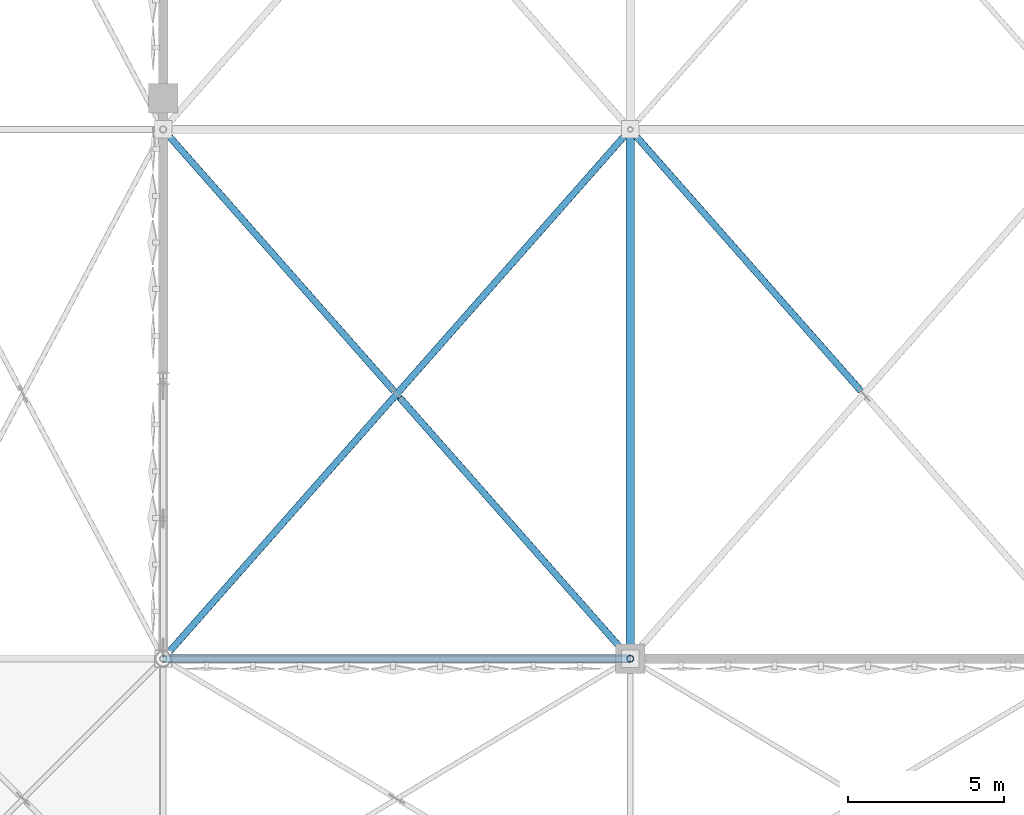
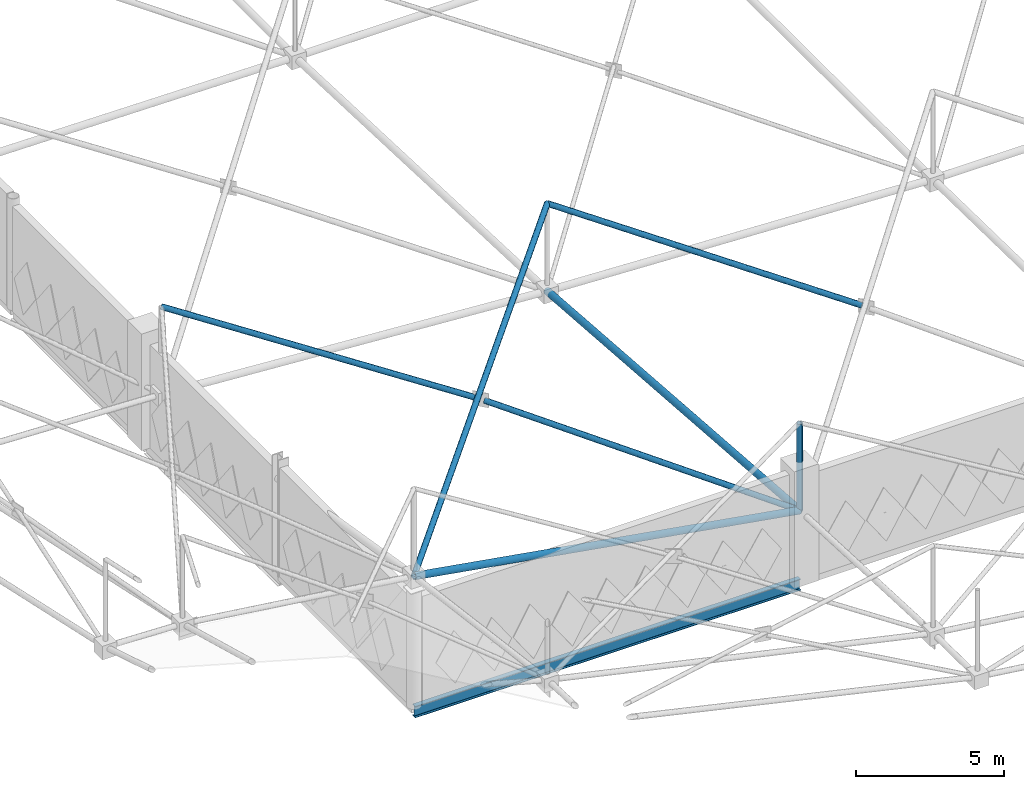
# One storey, part 24 of 224: 7 members, 1 beam.
"""IFC4 building model written with IfcOpenShell, lengths in metres."""

from ifc_helpers import new_model, si_unit, direction, frame, origin, origin_2d, place, context, subcontext, project, spatial, hollow_circle, i_section, extrude, material, material_profile, profile_set, type_object, element, save


model = new_model("IFC4")

# Units and contexts
model_context = context("Model", 3, precision=1e-05, world=origin(), true_north=direction((0.0, 1.0)))
body_context = subcontext(model_context, "Body", "Model", "MODEL_VIEW")
ifc_project = project(units=[si_unit("LENGTHUNIT", "METRE"), si_unit("AREAUNIT", "SQUARE_METRE"), si_unit("VOLUMEUNIT", "CUBIC_METRE"), si_unit("PLANEANGLEUNIT", "RADIAN"), si_unit("MASSUNIT", "GRAM", prefix="KILO")], contexts=[model_context])

# Site, building, storey
site_placement = place(None, origin())
site = spatial("IfcSite", under=ifc_project, at=site_placement, CompositionType="ELEMENT")
building_placement = place(site_placement, origin())
building = spatial("IfcBuilding", under=site, at=building_placement, Name="Qamarlyn Nura Convention Centre", CompositionType="ELEMENT")
storey_placement = place(building_placement, frame((0.0, 0.0, 10.800048828125)))
storey = spatial("IfcBuildingStorey", under=building, at=storey_placement, Name="L02", CompositionType="ELEMENT", Elevation=10.800048828125)

# Beam
ifc_material_1 = material(Name="Steel ASTM A992", Category="steel")
ifc_material_profile_1 = material_profile(ifc_material_1, i_section(OverallWidth=0.193115234375, OverallDepth=0.466064453125, WebThickness=0.011474609375, FlangeThickness=0.01904296875, FilletRadius=0.012939453125, at=origin_2d()), Name="W460X97")
ifc_profile_set_1 = profile_set([ifc_material_profile_1], Name="Steel ASTM A992")
beam_type = type_object("IfcBeamType", Name="BM-SPAN-460", PredefinedType="SPANDREL", material=ifc_profile_set_1)
beam_placement = place(storey_placement, frame((0.0, 18.0, -0.233154296875), z_axis=(1.0, 0.0, 0.0), x_axis=(0.0, 1.0, 0.0)))
element("IfcBeam", 1, at=beam_placement, inside=storey, type_object=beam_type, Name="L02 girder C 1-2", PredefinedType="SPANDREL", context=body_context, shape_type="SweptSolid", body=[
    extrude(i_section(OverallWidth=0.193115234375, OverallDepth=0.466064453125, WebThickness=0.011474609375, FlangeThickness=0.01904296875, FilletRadius=0.012939453125, at=origin_2d()), origin(), (0.0, 0.0, 1.0), 15.0),
])

# Members
ifc_material_2 = material(Name="Pearl-white PVDF steel ASTM A500 Grade C", Category="steel")
ifc_material_profile_2 = material_profile(ifc_material_2, hollow_circle(Radius=0.136474609375, WallThickness=0.012451171875, at=origin_2d()), Name="CHS273X12.5")
ifc_profile_set_2 = profile_set([ifc_material_profile_2], Name="Pearl-white PVDF steel ASTM A500 Grade C")
member_type_1 = type_object("IfcMemberType", Name="SF-BC-MAIN", PredefinedType="CHORD", material=ifc_profile_set_2)
member_1_placement = place(storey_placement, frame((0.0, 18.0, 5.314208984375), z_axis=(0.985903000709, 0.0, -0.167317880671), x_axis=(0.0, 1.0, 0.0)))
element("IfcMember", 2, at=member_1_placement, inside=storey, type_object=member_type_1, Name="ROOF TRUSS space frame bottom chord X2-2", PredefinedType="CHORD", context=body_context, shape_type="SweptSolid", body=[
    extrude(hollow_circle(Radius=0.136474609375, WallThickness=0.012451171875, at=origin_2d()), origin(), (0.0, 0.0, 1.0), 15.214599609375),
])
member_2_placement = place(storey_placement, frame((15.0, 18.0, 2.7685546875), z_axis=(0.0, 0.997141772719, -0.075553193831), x_axis=(-1.0, 0.0, 0.0)))
element("IfcMember", 3, at=member_2_placement, inside=storey, type_object=member_type_1, Name="ROOF TRUSS space frame bottom chord Y3-2", PredefinedType="CHORD", context=body_context, shape_type="SweptSolid", body=[
    extrude(hollow_circle(Radius=0.136474609375, WallThickness=0.012451171875, at=origin_2d()), origin(), (0.0, 0.0, 1.0), 17.048828125),
])
ifc_material_profile_3 = material_profile(ifc_material_2, hollow_circle(Radius=0.109619140625, WallThickness=0.010009765625, at=origin_2d()), Name="CHS219.1X10")
ifc_profile_set_3 = profile_set([ifc_material_profile_3], Name="Pearl-white PVDF steel ASTM A500 Grade C")
member_type_2 = type_object("IfcMemberType", Name="SF-WEB-HVY", PredefinedType="BRACE", material=ifc_profile_set_3)
member_3_placement = place(storey_placement, frame((0.0, 18.0, 5.314208984375), z_axis=(0.661586506454, 0.749798040648, -0.010304985135), x_axis=(-0.749837855365, 0.661621637087, 0.0)))
element("IfcMember", 4, at=member_3_placement, inside=storey, type_object=member_type_2, Name="ROOF TRUSS space frame diagonal A 2-2", PredefinedType="BRACE", context=body_context, shape_type="SweptSolid", body=[
    extrude(hollow_circle(Radius=0.109619140625, WallThickness=0.010009765625, at=origin_2d()), origin(), (0.0, 0.0, 1.0), 22.6728515625),
])
member_4_placement = place(storey_placement, frame((15.0, 18.0, 2.7685546875), z_axis=(-0.651079615536, 0.737893091823, 0.17778953646), x_axis=(-0.74983912797, -0.661620194799, 0.0)))
element("IfcMember", 5, at=member_4_placement, inside=storey, type_object=member_type_2, Name="ROOF TRUSS space frame split diagonal B1 2-2", PredefinedType="BRACE", context=body_context, shape_type="SweptSolid", body=[
    extrude(hollow_circle(Radius=0.109619140625, WallThickness=0.010009765625, at=origin_2d()), origin(), (0.0, 0.0, 1.0), 11.37841796875),
])
member_5_placement = place(storey_placement, frame((7.408203125, 26.60400390625, 4.83203125), z_axis=(-0.657524478148, 0.74519729777, 0.11109702081), x_axis=(-0.74983912797, -0.661620194799, 0.0)))
element("IfcMember", 6, at=member_5_placement, inside=storey, type_object=member_type_2, Name="ROOF TRUSS space frame split diagonal B2 2-2", PredefinedType="BRACE", context=body_context, shape_type="SweptSolid", body=[
    extrude(hollow_circle(Radius=0.109619140625, WallThickness=0.010009765625, at=origin_2d()), origin(), (0.0, 0.0, 1.0), 11.266845703125),
])
member_6_placement = place(storey_placement, frame((15.0, 18.0, 2.7685546875), z_axis=(0.0, 0.0, 1.0), x_axis=(1.0, 0.0, 0.0)))
element("IfcMember", 7, at=member_6_placement, inside=storey, type_object=member_type_2, Name="ROOF TRUSS space frame vertical 3-2", PredefinedType="BRACE", context=body_context, shape_type="SweptSolid", body=[
    extrude(hollow_circle(Radius=0.109619140625, WallThickness=0.010009765625, at=origin_2d()), origin(), (0.0, 0.0, 1.0), 3.60009765625),
])
member_7_placement = place(storey_placement, frame((22.40869140625, 26.603515625, 3.380859375), z_axis=(-0.654130342016, 0.741344846854, 0.150071028838), x_axis=(-0.749836582836, -0.661623079284, 0.0)))
element("IfcMember", 8, at=member_7_placement, inside=storey, type_object=member_type_2, Name="ROOF TRUSS space frame split diagonal B2 3-2", PredefinedType="BRACE", context=body_context, shape_type="SweptSolid", body=[
    extrude(hollow_circle(Radius=0.109619140625, WallThickness=0.010009765625, at=origin_2d()), origin(), (0.0, 0.0, 1.0), 11.325927734375),
])

save(model, "model.ifc")
